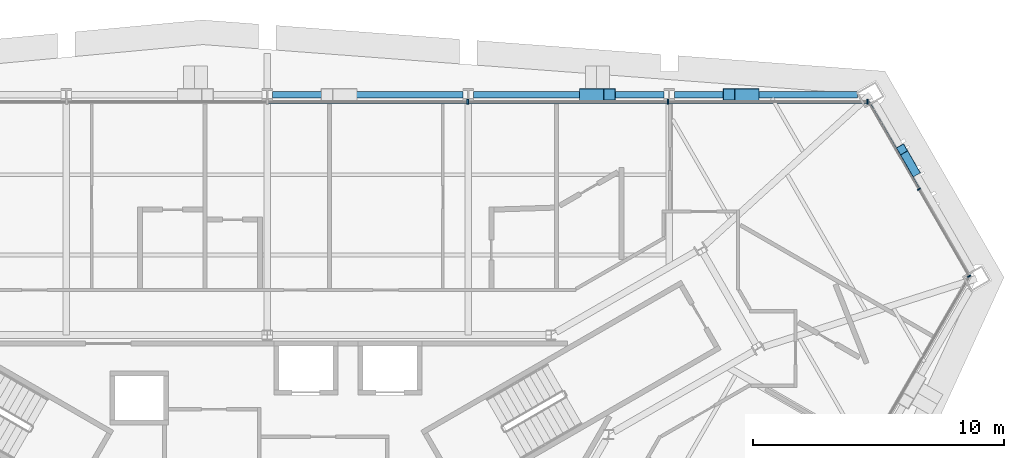
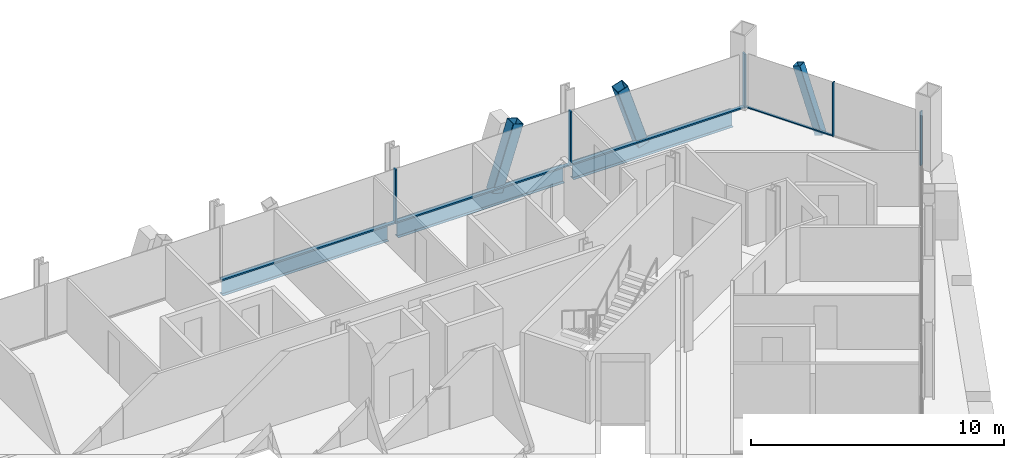
# One storey, part 8 of 16: 12 members, 3 beams, 2 elements without a shape of their own.
"""IFC4 building model written with IfcOpenShell, lengths in metres."""

from ifc_helpers import new_model, si_unit, direction, frame, origin, origin_2d, place, context, subcontext, project, spatial, rectangle, hollow_rectangle, i_section, extrude, material, material_profile, profile_set, type_object, element, aggregate, save


model = new_model("IFC4")

# Units and contexts
model_context = context("Model", 3, precision=1e-05, world=origin(), true_north=direction((0.0, 1.0)))
body_context = subcontext(model_context, "Body", "Model", "MODEL_VIEW")
ifc_project = project(units=[si_unit("LENGTHUNIT", "METRE"), si_unit("AREAUNIT", "SQUARE_METRE"), si_unit("VOLUMEUNIT", "CUBIC_METRE"), si_unit("PLANEANGLEUNIT", "RADIAN"), si_unit("MASSUNIT", "GRAM", prefix="KILO")], contexts=[model_context])

# Site, building, storey
site_placement = place(None, origin())
site = spatial("IfcSite", under=ifc_project, at=site_placement, CompositionType="ELEMENT")
building_placement = place(site_placement, origin())
building = spatial("IfcBuilding", under=site, at=building_placement, Name="Verrane Prism Tower", CompositionType="ELEMENT")
storey_placement = place(building_placement, frame((0.0, 0.0, 107.199951171875)))
storey = spatial("IfcBuildingStorey", under=building, at=storey_placement, Name="L25", CompositionType="ELEMENT", Elevation=107.199951171875)

# Members
ifc_material_1 = material(Name="Steel A500 Grade C", Category="steel")
ifc_material_profile_1 = material_profile(ifc_material_1, hollow_rectangle(XDim=0.355712890625, YDim=0.355712890625, WallThickness=0.0126953125, InnerFilletRadius=0.00634765625, OuterFilletRadius=0.01904296875, at=origin_2d()), Name="HSS14x14x1/2")
ifc_profile_set_1 = profile_set([ifc_material_profile_1], Name="Steel A500 Grade C")
member_type_1 = type_object("IfcMemberType", Name="Chamfer brace HSS14x14x1/2", PredefinedType="BRACE", material=ifc_profile_set_1)
member_1_placement = place(storey_placement, frame((25.8369140625, 15.731201171875, -0.2451171875), z_axis=(-0.159496476686, 0.276075302399, 0.947809738993), x_axis=(-0.865883682865, -0.500245387533, 0.0)))
element("IfcMember", 1, at=member_1_placement, inside=storey, type_object=member_type_1, Name="Chamfer brace NE0 L25", PredefinedType="BRACE", context=body_context, shape_type="SweptSolid", body=[
    extrude(hollow_rectangle(XDim=0.355712890625, YDim=0.355712890625, WallThickness=0.0126953125, InnerFilletRadius=0.00634765625, OuterFilletRadius=0.01904296875, at=origin_2d()), origin(), (0.0, 0.0, 1.0), 3.16845703125),
])
ifc_material_2 = material(Name="Steel A1085 Grade A", Category="steel")
ifc_material_profile_2 = material_profile(ifc_material_2, hollow_rectangle(XDim=0.508056640625, YDim=0.508056640625, WallThickness=0.025390625, InnerFilletRadius=0.0126953125, OuterFilletRadius=0.0380859375, at=origin_2d()), Name="HSS20x20x1")
ifc_profile_set_2 = profile_set([ifc_material_profile_2], Name="Steel A1085 Grade A")
member_type_2 = type_object("IfcMemberType", Name="Facade brace HSS20x20x1", PredefinedType="BRACE", material=ifc_profile_set_2)
member_2_placement = place(storey_placement, frame((19.38720703125, 18.7900390625, -0.242431640625), z_axis=(-0.303602619499, 0.0, 0.952798745504), x_axis=(0.0, -1.0, 0.0)))
element("IfcMember", 2, at=member_2_placement, inside=storey, type_object=member_type_2, Name="Facade brace N0 L25", PredefinedType="BRACE", context=body_context, shape_type="SweptSolid", body=[
    extrude(hollow_rectangle(XDim=0.508056640625, YDim=0.508056640625, WallThickness=0.025390625, InnerFilletRadius=0.0126953125, OuterFilletRadius=0.0380859375, at=origin_2d()), origin(), (0.0, 0.0, 1.0), 3.156982421875),
])
member_3_placement = place(storey_placement, frame((12.697021484375, 18.7900390625, -0.242431640625), z_axis=(0.303251541168, 0.0, 0.952910542905), x_axis=(0.0, 1.0, 0.0)))
element("IfcMember", 3, at=member_3_placement, inside=storey, type_object=member_type_2, Name="Facade brace N1 L25", PredefinedType="BRACE", context=body_context, shape_type="SweptSolid", body=[
    extrude(hollow_rectangle(XDim=0.508056640625, YDim=0.508056640625, WallThickness=0.025390625, InnerFilletRadius=0.0126953125, OuterFilletRadius=0.0380859375, at=origin_2d()), origin(), (0.0, 0.0, 1.0), 3.15673828125),
])

# Curtain wall, members
ifc_material_3 = material(Name="Aluminium framed insulated glazing", Category="aluminium")
curtain_wall_type_1 = type_object("IfcCurtainWallType", Name="Curtain wall CW-C 4200 module", PredefinedType="NOTDEFINED", material=ifc_material_3)
curtain_wall_1_placement = place(storey_placement, origin())
curtain_wall_1 = element("IfcCurtainWall", 4, at=curtain_wall_1_placement, inside=storey, type_object=curtain_wall_type_1, Name="Glazed curtain wall north-east corner L25", PredefinedType="NOTDEFINED")
ifc_material_4 = material(Name="Aluminium alloy 6063-T6", Category="aluminium")
ifc_material_profile_3 = material_profile(ifc_material_4, rectangle(XDim=0.139892578125, YDim=0.050048828125, at=origin_2d()), Name="Mullion 50x140 aluminium")
ifc_profile_set_3 = profile_set([ifc_material_profile_3], Name="Aluminium alloy 6063-T6")
member_type_3 = type_object("IfcMemberType", Name="Mullion 50x140 aluminium", PredefinedType="MULLION", material=ifc_profile_set_3)
member_4_placement = place(storey_placement, frame((28.015380859375, 11.545654296875, 0.0), z_axis=(0.0, 0.0, 1.0), x_axis=(-0.866027890405, -0.499995693021, 0.0)))
member_4 = element("IfcMember", 5, at=member_4_placement, type_object=member_type_3, Name="CW24.1 mullion 1", PredefinedType="MULLION", context=body_context, shape_type="SweptSolid", body=[
    extrude(rectangle(XDim=0.139892578125, YDim=0.050048828125, at=origin_2d()), origin(), (0.0, 0.0, 1.0), 2.613037109375),
])
member_5_placement = place(storey_placement, frame((26.010986328125, 15.017578125, 0.0), z_axis=(0.0, 0.0, 1.0), x_axis=(-0.866027890405, -0.499995693021, 0.0)))
member_5 = element("IfcMember", 6, at=member_5_placement, type_object=member_type_3, Name="CW24.1 mullion 2", PredefinedType="MULLION", context=body_context, shape_type="SweptSolid", body=[
    extrude(rectangle(XDim=0.139892578125, YDim=0.050048828125, at=origin_2d()), origin(), (0.0, 0.0, 1.0), 2.613037109375),
])

ifc_material_5 = material(Name="Aluminium framed insulated glazing", Category="aluminium")
curtain_wall_type_2 = type_object("IfcCurtainWallType", Name="Curtain wall CW-A 8400 module", PredefinedType="NOTDEFINED", material=ifc_material_5)
curtain_wall_2_placement = place(storey_placement, origin())
curtain_wall_2 = element("IfcCurtainWall", 7, at=curtain_wall_2_placement, inside=storey, type_object=curtain_wall_type_2, Name="Glazed curtain wall north face L25", PredefinedType="NOTDEFINED")
ifc_material_6 = material(Name="Aluminium alloy 6063-T6", Category="aluminium")
ifc_material_profile_4 = material_profile(ifc_material_6, rectangle(XDim=0.199951171875, YDim=0.070068359375, at=origin_2d()), Name="Mullion 70x200 aluminium")
ifc_profile_set_4 = profile_set([ifc_material_profile_4], Name="Aluminium alloy 6063-T6")
member_type_4 = type_object("IfcMemberType", Name="Mullion 70x200 aluminium", PredefinedType="MULLION", material=ifc_profile_set_4)
member_6_placement = place(storey_placement, frame((23.958984375, 18.510986328125, 0.0), z_axis=(0.0, 0.0, 1.0), x_axis=(0.0, -1.0, 0.0)))
member_6 = element("IfcMember", 8, at=member_6_placement, type_object=member_type_4, Name="CW24.2 mullion 1", PredefinedType="MULLION", context=body_context, shape_type="SweptSolid", body=[
    extrude(rectangle(XDim=0.199951171875, YDim=0.070068359375, at=origin_2d()), origin(), (0.0, 0.0, 1.0), 2.613037109375),
])
member_7_placement = place(storey_placement, frame((15.99609375, 18.510986328125, 0.0), z_axis=(0.0, 0.0, 1.0), x_axis=(0.0, -1.0, 0.0)))
member_7 = element("IfcMember", 9, at=member_7_placement, type_object=member_type_4, Name="CW24.2 mullion 2", PredefinedType="MULLION", context=body_context, shape_type="SweptSolid", body=[
    extrude(rectangle(XDim=0.199951171875, YDim=0.070068359375, at=origin_2d()), origin(), (0.0, 0.0, 1.0), 2.613037109375),
])
member_8_placement = place(storey_placement, frame((7.998046875, 18.510986328125, 0.0), z_axis=(0.0, 0.0, 1.0), x_axis=(0.0, -1.0, 0.0)))
member_8 = element("IfcMember", 10, at=member_8_placement, type_object=member_type_4, Name="CW24.2 mullion 3", PredefinedType="MULLION", context=body_context, shape_type="SweptSolid", body=[
    extrude(rectangle(XDim=0.199951171875, YDim=0.070068359375, at=origin_2d()), origin(), (0.0, 0.0, 1.0), 2.613037109375),
])

# Beams
ifc_material_7 = material(Name="Steel A992", Category="steel")
ifc_material_profile_5 = material_profile(ifc_material_7, i_section(OverallWidth=0.2666015625, OverallDepth=0.7568359375, WebThickness=0.013916015625, FlangeThickness=0.019287109375, FilletRadius=0.0166015625, at=origin_2d()), Name="W30x108")
ifc_profile_set_5 = profile_set([ifc_material_profile_5], Name="Steel A992")
beam_type = type_object("IfcBeamType", Name="Spandrel beam W30x108", PredefinedType="SPANDREL", material=ifc_profile_set_5)
beam_placement = place(storey_placement, frame((23.55029296875, 18.7900390625, -0.538330078125), z_axis=(-1.0, 0.0, 0.0), x_axis=(0.0, -1.0, 0.0)))
element("IfcBeam", 11, at=beam_placement, inside=storey, type_object=beam_type, Name="Spandrel beam L25", PredefinedType="SPANDREL", context=body_context, shape_type="SweptSolid", body=[
    extrude(i_section(OverallWidth=0.2666015625, OverallDepth=0.7568359375, WebThickness=0.013916015625, FlangeThickness=0.019287109375, FilletRadius=0.0166015625, at=origin_2d()), origin(), (0.0, 0.0, 1.0), 7.298095703125),
])
for number, where, z_axis, x_axis, name in (
    (12, (15.827880859375, 18.7900390625, -0.538330078125), (-1.0, 0.0, 0.0), (0.0, -1.0, 0.0), "Spandrel beam L25"),
    (13, (7.807861328125, 18.7900390625, -0.538330078125), (-1.0, 0.0, 0.0), (0.0, -1.0, 0.0), "Spandrel beam L25"),
):
    element("IfcBeam", number, at=place(storey_placement, frame(where, z_axis=z_axis, x_axis=x_axis)), inside=storey, type_object=beam_type, Name=name, PredefinedType="SPANDREL", context=body_context, shape_type="SweptSolid", body=[
        extrude(i_section(OverallWidth=0.2666015625, OverallDepth=0.7568359375, WebThickness=0.013916015625, FlangeThickness=0.019287109375, FilletRadius=0.0166015625, at=origin_2d()), origin(), (0.0, 0.0, 1.0), 7.595703125),
    ])

# Member
ifc_material_8 = material(Name="Aluminium alloy 6063-T6", Category="aluminium")
ifc_material_profile_6 = material_profile(ifc_material_8, rectangle(XDim=0.10009765625, YDim=0.050048828125, at=origin_2d()), Name="Transom 50x100 aluminium")
ifc_profile_set_6 = profile_set([ifc_material_profile_6], Name="Aluminium alloy 6063-T6")
member_type_5 = type_object("IfcMemberType", Name="Transom 50x100 aluminium", PredefinedType="USERDEFINED", material=ifc_profile_set_6)
member_9_placement = place(storey_placement, frame((25.99853515625, 15.0390625, 0.025146484375), z_axis=(-0.499977246076, 0.86603854037, 0.0), x_axis=(-0.86603854037, -0.499977246076, 0.0)))
member_9 = element("IfcMember", 14, at=member_9_placement, type_object=member_type_5, Name="CW24.1 transom 2", ObjectType="TRANSOM", PredefinedType="USERDEFINED", context=body_context, shape_type="SweptSolid", body=[
    extrude(rectangle(XDim=0.10009765625, YDim=0.050048828125, at=origin_2d()), origin(), (0.0, 0.0, 1.0), 4.009033203125),
])

aggregate(curtain_wall_1, [member_4, member_5, member_9])

ifc_material_9 = material(Name="Aluminium alloy 6063-T6", Category="aluminium")
ifc_material_profile_7 = material_profile(ifc_material_9, rectangle(XDim=0.14990234375, YDim=0.070068359375, at=origin_2d()), Name="Transom 70x150 aluminium")
ifc_profile_set_7 = profile_set([ifc_material_profile_7], Name="Aluminium alloy 6063-T6")
member_type_6 = type_object("IfcMemberType", Name="Transom 70x150 aluminium", PredefinedType="USERDEFINED", material=ifc_profile_set_7)
member_10_placement = place(storey_placement, frame((23.924072265625, 18.510986328125, 0.03515625), z_axis=(-1.0, 0.0, 0.0), x_axis=(0.0, -1.0, 0.0)))
member_10 = element("IfcMember", 15, at=member_10_placement, type_object=member_type_6, Name="CW24.2 transom 1", ObjectType="TRANSOM", PredefinedType="USERDEFINED", context=body_context, shape_type="SweptSolid", body=[
    extrude(rectangle(XDim=0.14990234375, YDim=0.070068359375, at=origin_2d()), origin(), (0.0, 0.0, 1.0), 7.89306640625),
])

member_11_placement = place(storey_placement, frame((15.961181640625, 18.510986328125, 0.03515625), z_axis=(-1.0, 0.0, 0.0), x_axis=(0.0, -1.0, 0.0)))
member_11 = element("IfcMember", 16, at=member_11_placement, type_object=member_type_6, Name="CW24.2 transom 2", ObjectType="TRANSOM", PredefinedType="USERDEFINED", context=body_context, shape_type="SweptSolid", body=[
    extrude(rectangle(XDim=0.14990234375, YDim=0.070068359375, at=origin_2d()), origin(), (0.0, 0.0, 1.0), 7.92822265625),
])

member_12_placement = place(storey_placement, frame((7.963134765625, 18.510986328125, 0.03515625), z_axis=(-1.0, 0.0, 0.0), x_axis=(0.0, -1.0, 0.0)))
member_12 = element("IfcMember", 17, at=member_12_placement, type_object=member_type_6, Name="CW24.2 transom 3", ObjectType="TRANSOM", PredefinedType="USERDEFINED", context=body_context, shape_type="SweptSolid", body=[
    extrude(rectangle(XDim=0.14990234375, YDim=0.070068359375, at=origin_2d()), origin(), (0.0, 0.0, 1.0), 7.92822265625),
])

aggregate(curtain_wall_2, [member_6, member_7, member_8, member_10, member_11, member_12])

save(model, "model.ifc")
